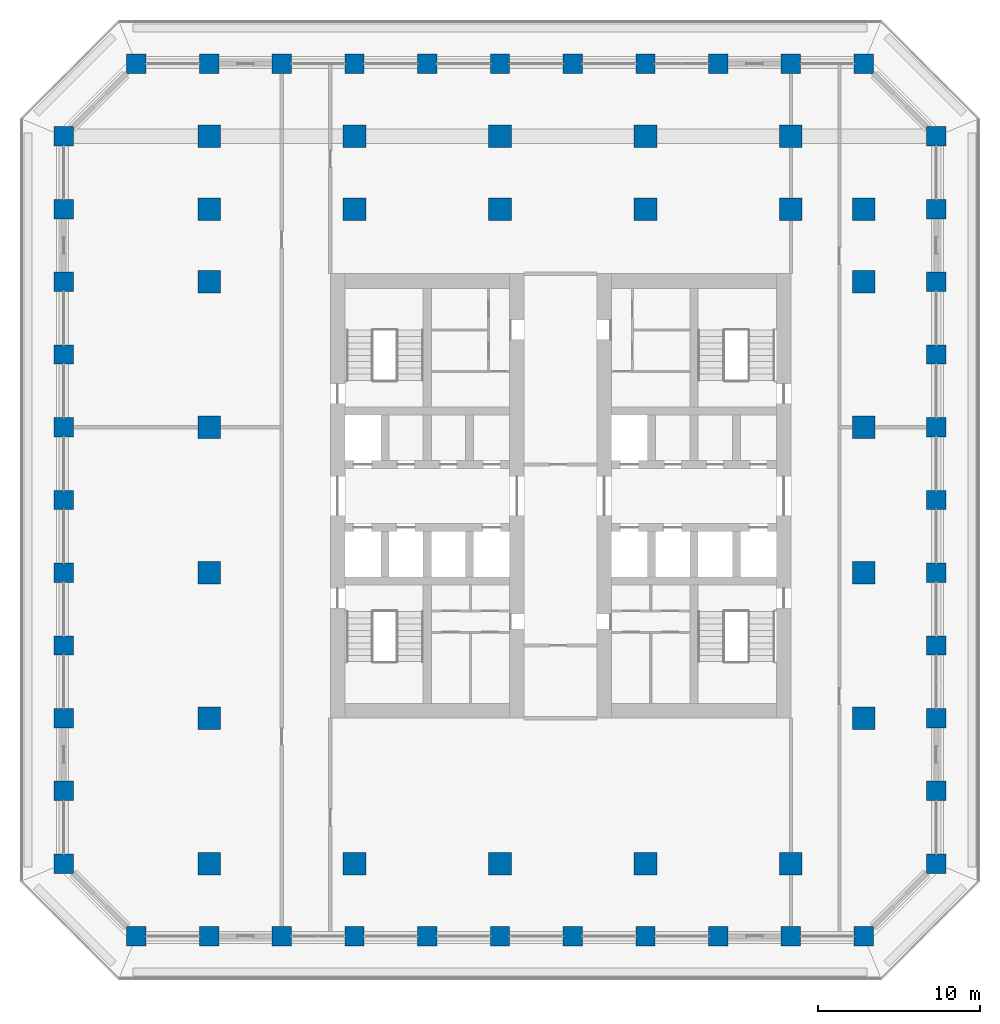
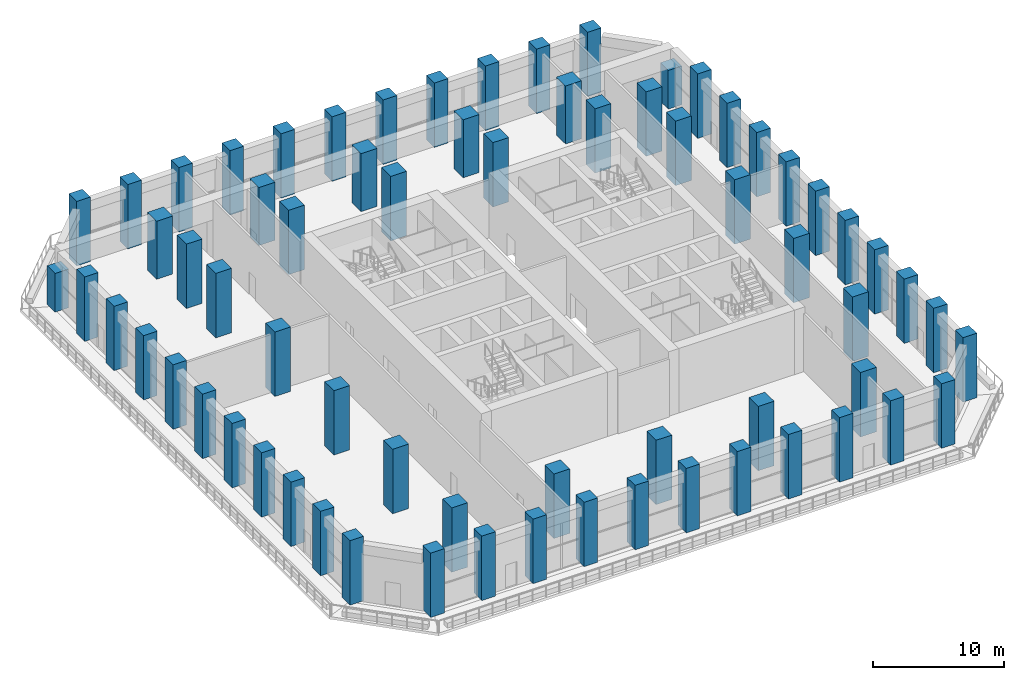
# One storey, part 1 of 24: 68 columns.
"""IFC4 building model written with IfcOpenShell, lengths in metres."""

from ifc_helpers import new_model, si_unit, direction, frame, origin, origin_2d, place, context, subcontext, project, spatial, rectangle, extrude, material, material_profile, profile_set, type_object, element, save


model = new_model("IFC4")

# Units and contexts
model_context = context("Model", 3, precision=1e-05, world=origin(), true_north=direction((0.0, 1.0)))
body_context = subcontext(model_context, "Body", "Model", "MODEL_VIEW")
ifc_project = project(units=[si_unit("LENGTHUNIT", "METRE"), si_unit("AREAUNIT", "SQUARE_METRE"), si_unit("VOLUMEUNIT", "CUBIC_METRE"), si_unit("PLANEANGLEUNIT", "RADIAN"), si_unit("MASSUNIT", "GRAM", prefix="KILO")], contexts=[model_context])

# Site, building, storey
site_placement = place(None, origin())
site = spatial("IfcSite", under=ifc_project, at=site_placement, CompositionType="ELEMENT")
building_placement = place(site_placement, origin())
building = spatial("IfcBuilding", under=site, at=building_placement, Name="Corbel Stack Research Tower", CompositionType="ELEMENT")
storey_placement = place(building_placement, frame((0.0, 0.0, 145.39990234375)))
storey = spatial("IfcBuildingStorey", under=building, at=storey_placement, Name="L33", CompositionType="ELEMENT", Elevation=145.39990234375)

# Columns
ifc_material_1 = material(Name="Concrete C70/85", Category="concrete")
ifc_material_profile_1 = material_profile(ifc_material_1, rectangle(XDim=1.199951171875, YDim=1.199951171875, at=origin_2d()), Name="RC 1200 x 1200")
ifc_profile_set_1 = profile_set([ifc_material_profile_1], Name="Concrete C70/85")
column_type_1 = type_object("IfcColumnType", Name="C-1200-70", PredefinedType="COLUMN", material=ifc_profile_set_1)
for number, where, z_axis, x_axis, name in (
    (1, (-27.0, -18.0, 0.0), (0.0, 0.0, 1.0), (1.0, 0.0, 0.0), "Column 2/D L33"),
    (2, (-27.0, -13.5, 0.0), (0.0, 0.0, 1.0), (1.0, 0.0, 0.0), "Column 2/E L33"),
    (3, (-27.0, -9.0, 0.0), (0.0, 0.0, 1.0), (1.0, 0.0, 0.0), "Column 2/F L33"),
    (4, (-27.0, -4.5, 0.0), (0.0, 0.0, 1.0), (1.0, 0.0, 0.0), "Column 2/G L33"),
    (5, (-27.0, 0.0, 0.0), (0.0, 0.0, 1.0), (1.0, 0.0, 0.0), "Column 2/H L33"),
    (6, (-27.0, 4.5, 0.0), (0.0, 0.0, 1.0), (1.0, 0.0, 0.0), "Column 2/J L33"),
    (7, (-27.0, 9.0, 0.0), (0.0, 0.0, 1.0), (1.0, 0.0, 0.0), "Column 2/K L33"),
    (8, (-27.0, 13.5, 0.0), (0.0, 0.0, 1.0), (1.0, 0.0, 0.0), "Column 2/L L33"),
    (9, (-27.0, 18.0, 0.0), (0.0, 0.0, 1.0), (1.0, 0.0, 0.0), "Column 2/M L33"),
    (10, (-27.0, 22.5, 0.0), (0.0, 0.0, 1.0), (1.0, 0.0, 0.0), "Column 2/N L33"),
    (11, (-22.5, -22.5, 0.0), (0.0, 0.0, 1.0), (1.0, 0.0, 0.0), "Column 3/C L33"),
    (12, (-22.5, 31.5, 0.0), (0.0, 0.0, 1.0), (1.0, 0.0, 0.0), "Column 3/Q L33"),
    (13, (-18.0, -22.5, 0.0), (0.0, 0.0, 1.0), (1.0, 0.0, 0.0), "Column 4/C L33"),
    (14, (-18.0, 31.5, 0.0), (0.0, 0.0, 1.0), (1.0, 0.0, 0.0), "Column 4/Q L33"),
    (15, (-13.5, -22.5, 0.0), (0.0, 0.0, 1.0), (1.0, 0.0, 0.0), "Column 5/C L33"),
    (16, (-13.5, 31.5, 0.0), (0.0, 0.0, 1.0), (1.0, 0.0, 0.0), "Column 5/Q L33"),
    (17, (-9.0, -22.5, 0.0), (0.0, 0.0, 1.0), (1.0, 0.0, 0.0), "Column 6/C L33"),
    (18, (-9.0, 31.5, 0.0), (0.0, 0.0, 1.0), (1.0, 0.0, 0.0), "Column 6/Q L33"),
    (19, (-4.5, -22.5, 0.0), (0.0, 0.0, 1.0), (1.0, 0.0, 0.0), "Column 7/C L33"),
    (20, (-4.5, 31.5, 0.0), (0.0, 0.0, 1.0), (1.0, 0.0, 0.0), "Column 7/Q L33"),
    (21, (0.0, -22.5, 0.0), (0.0, 0.0, 1.0), (1.0, 0.0, 0.0), "Column 8/C L33"),
    (22, (0.0, 31.5, 0.0), (0.0, 0.0, 1.0), (1.0, 0.0, 0.0), "Column 8/Q L33"),
    (23, (4.5, -22.5, 0.0), (0.0, 0.0, 1.0), (1.0, 0.0, 0.0), "Column 9/C L33"),
    (24, (4.5, 31.5, 0.0), (0.0, 0.0, 1.0), (1.0, 0.0, 0.0), "Column 9/Q L33"),
    (25, (9.0, -22.5, 0.0), (0.0, 0.0, 1.0), (1.0, 0.0, 0.0), "Column 10/C L33"),
    (26, (9.0, 31.5, 0.0), (0.0, 0.0, 1.0), (1.0, 0.0, 0.0), "Column 10/Q L33"),
    (27, (13.5, -22.5, 0.0), (0.0, 0.0, 1.0), (1.0, 0.0, 0.0), "Column 11/C L33"),
    (28, (13.5, 31.5, 0.0), (0.0, 0.0, 1.0), (1.0, 0.0, 0.0), "Column 11/Q L33"),
    (29, (18.0, -22.5, 0.0), (0.0, 0.0, 1.0), (1.0, 0.0, 0.0), "Column 12/C L33"),
    (30, (18.0, 31.5, 0.0), (0.0, 0.0, 1.0), (1.0, 0.0, 0.0), "Column 12/Q L33"),
    (31, (22.5, -22.5, 0.0), (0.0, 0.0, 1.0), (1.0, 0.0, 0.0), "Column 13/C L33"),
    (32, (22.5, 31.5, 0.0), (0.0, 0.0, 1.0), (1.0, 0.0, 0.0), "Column 13/Q L33"),
    (33, (27.0, -18.0, 0.0), (0.0, 0.0, 1.0), (1.0, 0.0, 0.0), "Column 14/D L33"),
    (34, (27.0, -13.5, 0.0), (0.0, 0.0, 1.0), (1.0, 0.0, 0.0), "Column 14/E L33"),
    (35, (27.0, -9.0, 0.0), (0.0, 0.0, 1.0), (1.0, 0.0, 0.0), "Column 14/F L33"),
    (36, (27.0, -4.5, 0.0), (0.0, 0.0, 1.0), (1.0, 0.0, 0.0), "Column 14/G L33"),
    (37, (27.0, 0.0, 0.0), (0.0, 0.0, 1.0), (1.0, 0.0, 0.0), "Column 14/H L33"),
    (38, (27.0, 4.5, 0.0), (0.0, 0.0, 1.0), (1.0, 0.0, 0.0), "Column 14/J L33"),
    (39, (27.0, 9.0, 0.0), (0.0, 0.0, 1.0), (1.0, 0.0, 0.0), "Column 14/K L33"),
    (40, (27.0, 13.5, 0.0), (0.0, 0.0, 1.0), (1.0, 0.0, 0.0), "Column 14/L L33"),
    (41, (27.0, 18.0, 0.0), (0.0, 0.0, 1.0), (1.0, 0.0, 0.0), "Column 14/M L33"),
    (42, (27.0, 22.5, 0.0), (0.0, 0.0, 1.0), (1.0, 0.0, 0.0), "Column 14/N L33"),
):
    element("IfcColumn", number, at=place(storey_placement, frame(where, z_axis=z_axis, x_axis=x_axis)), inside=storey, type_object=column_type_1, Name=name, PredefinedType="COLUMN", context=body_context, shape_type="SweptSolid", body=[
        extrude(rectangle(XDim=1.199951171875, YDim=1.199951171875, at=origin_2d()), origin(), (0.0, 0.0, 1.0), 6.0),
    ])
ifc_material_2 = material(Name="Concrete C70/85", Category="concrete")
ifc_material_profile_2 = material_profile(ifc_material_2, rectangle(XDim=1.39990234375, YDim=1.39990234375, at=origin_2d()), Name="RC 1400 x 1400")
ifc_profile_set_2 = profile_set([ifc_material_profile_2], Name="Concrete C70/85")
column_type_2 = type_object("IfcColumnType", Name="C-1400-70", PredefinedType="COLUMN", material=ifc_profile_set_2)
for number, where, z_axis, x_axis, name in (
    (43, (-18.0, -18.0, 0.0), (0.0, 0.0, 1.0), (1.0, 0.0, 0.0), "Column 4/D L33"),
    (44, (-18.0, -9.0, 0.0), (0.0, 0.0, 1.0), (1.0, 0.0, 0.0), "Column 4/F L33"),
    (45, (-18.0, 0.0, 0.0), (0.0, 0.0, 1.0), (1.0, 0.0, 0.0), "Column 4/H L33"),
    (46, (-18.0, 9.0, 0.0), (0.0, 0.0, 1.0), (1.0, 0.0, 0.0), "Column 4/K L33"),
    (47, (-18.0, 18.0, 0.0), (0.0, 0.0, 1.0), (1.0, 0.0, 0.0), "Column 4/M L33"),
    (48, (-18.0, 22.5, 0.0), (0.0, 0.0, 1.0), (1.0, 0.0, 0.0), "Column 4/N L33"),
    (49, (-9.0, -18.0, 0.0), (0.0, 0.0, 1.0), (1.0, 0.0, 0.0), "Column 6/D L33"),
    (50, (-9.0, 22.5, 0.0), (0.0, 0.0, 1.0), (1.0, 0.0, 0.0), "Column 6/N L33"),
    (51, (0.0, -18.0, 0.0), (0.0, 0.0, 1.0), (1.0, 0.0, 0.0), "Column 8/D L33"),
    (52, (0.0, 22.5, 0.0), (0.0, 0.0, 1.0), (1.0, 0.0, 0.0), "Column 8/N L33"),
    (53, (9.0, -18.0, 0.0), (0.0, 0.0, 1.0), (1.0, 0.0, 0.0), "Column 10/D L33"),
    (54, (9.0, 22.5, 0.0), (0.0, 0.0, 1.0), (1.0, 0.0, 0.0), "Column 10/N L33"),
    (55, (18.0, -18.0, 0.0), (0.0, 0.0, 1.0), (1.0, 0.0, 0.0), "Column 12/D L33"),
    (56, (18.0, 22.5, 0.0), (0.0, 0.0, 1.0), (1.0, 0.0, 0.0), "Column 12/N L33"),
    (57, (22.5, -9.0, 0.0), (0.0, 0.0, 1.0), (1.0, 0.0, 0.0), "Column 13/F L33"),
    (58, (22.5, 0.0, 0.0), (0.0, 0.0, 1.0), (1.0, 0.0, 0.0), "Column 13/H L33"),
    (59, (22.5, 9.0, 0.0), (0.0, 0.0, 1.0), (1.0, 0.0, 0.0), "Column 13/K L33"),
    (60, (22.5, 18.0, 0.0), (0.0, 0.0, 1.0), (1.0, 0.0, 0.0), "Column 13/M L33"),
    (61, (22.5, 22.5, 0.0), (0.0, 0.0, 1.0), (1.0, 0.0, 0.0), "Column 13/N L33"),
):
    element("IfcColumn", number, at=place(storey_placement, frame(where, z_axis=z_axis, x_axis=x_axis)), inside=storey, type_object=column_type_2, Name=name, PredefinedType="COLUMN", context=body_context, shape_type="SweptSolid", body=[
        extrude(rectangle(XDim=1.39990234375, YDim=1.39990234375, at=origin_2d()), origin(), (0.0, 0.0, 1.0), 6.0),
    ])
ifc_material_3 = material(Name="Concrete C70/85", Category="concrete")
ifc_material_profile_3 = material_profile(ifc_material_3, rectangle(XDim=1.199951171875, YDim=1.199951171875, at=origin_2d()), Name="RC 1200 x 1200")
ifc_profile_set_3 = profile_set([ifc_material_profile_3], Name="Concrete C70/85")
column_type_3 = type_object("IfcColumnType", Name="CG-1200-70-2400", PredefinedType="COLUMN", material=ifc_profile_set_3)
for number, where, z_axis, x_axis, name in (
    (62, (-27.0, 27.0, 0.0), (0.0, 0.0, 1.0), (1.0, 0.0, 0.0), "Column 2/P L33"),
    (63, (27.0, 27.0, 0.0), (0.0, 0.0, 1.0), (1.0, 0.0, 0.0), "Column 14/P L33"),
):
    element("IfcColumn", number, at=place(storey_placement, frame(where, z_axis=z_axis, x_axis=x_axis)), inside=storey, type_object=column_type_3, Name=name, PredefinedType="COLUMN", context=body_context, shape_type="SweptSolid", body=[
        extrude(rectangle(XDim=1.199951171875, YDim=1.199951171875, at=origin_2d()), origin(), (0.0, 0.0, 1.0), 3.60009765625),
    ])
ifc_material_4 = material(Name="Concrete C70/85", Category="concrete")
ifc_material_profile_4 = material_profile(ifc_material_4, rectangle(XDim=1.39990234375, YDim=1.39990234375, at=origin_2d()), Name="RC 1400 x 1400")
ifc_profile_set_4 = profile_set([ifc_material_profile_4], Name="Concrete C70/85")
column_type_4 = type_object("IfcColumnType", Name="CG-1400-70-600", PredefinedType="COLUMN", material=ifc_profile_set_4)
for number, where, z_axis, x_axis, name in (
    (64, (-18.0, 27.0, 0.0), (0.0, 0.0, 1.0), (1.0, 0.0, 0.0), "Column 4/P L33"),
    (65, (-9.0, 27.0, 0.0), (0.0, 0.0, 1.0), (1.0, 0.0, 0.0), "Column 6/P L33"),
    (66, (0.0, 27.0, 0.0), (0.0, 0.0, 1.0), (1.0, 0.0, 0.0), "Column 8/P L33"),
    (67, (9.0, 27.0, 0.0), (0.0, 0.0, 1.0), (1.0, 0.0, 0.0), "Column 10/P L33"),
    (68, (18.0, 27.0, 0.0), (0.0, 0.0, 1.0), (1.0, 0.0, 0.0), "Column 12/P L33"),
):
    element("IfcColumn", number, at=place(storey_placement, frame(where, z_axis=z_axis, x_axis=x_axis)), inside=storey, type_object=column_type_4, Name=name, PredefinedType="COLUMN", context=body_context, shape_type="SweptSolid", body=[
        extrude(rectangle(XDim=1.39990234375, YDim=1.39990234375, at=origin_2d()), origin(), (0.0, 0.0, 1.0), 5.400146484375),
    ])

save(model, "model.ifc")
